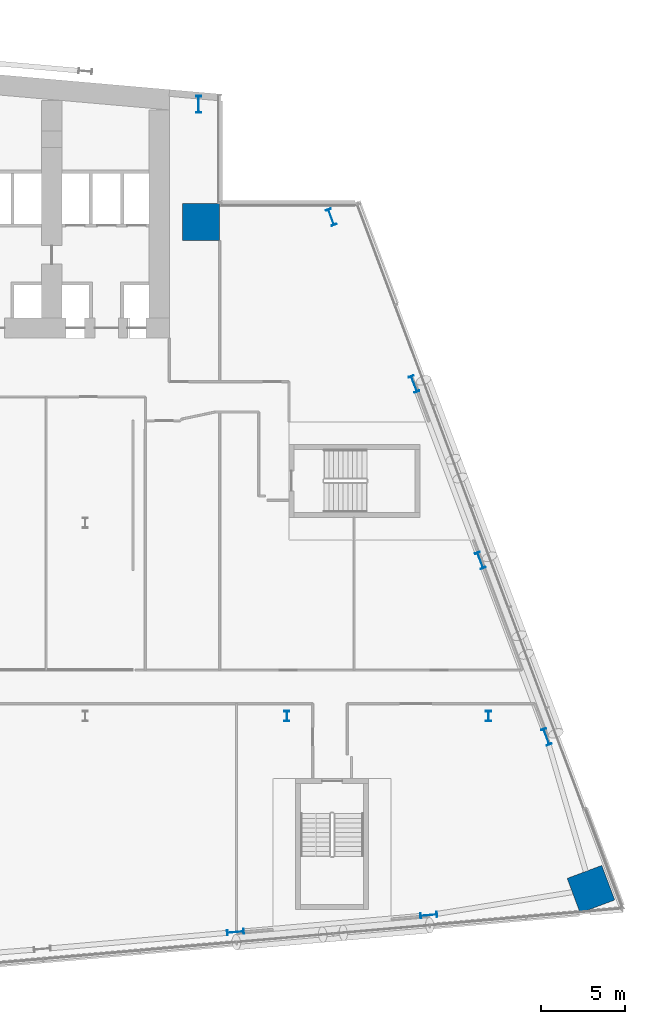
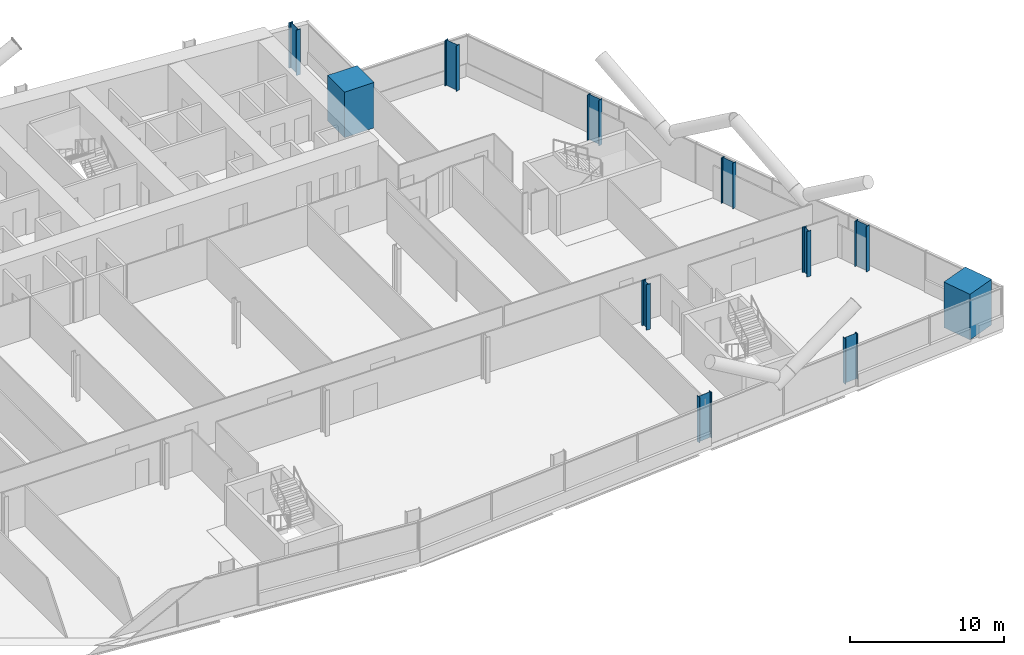
# One storey, part 3 of 27: 11 columns.
"""IFC4 building model written with IfcOpenShell, lengths in metres."""

from ifc_helpers import new_model, si_unit, direction, frame, origin, origin_2d, place, context, subcontext, project, spatial, rectangle, i_section, extrude, material, material_profile, profile_set, type_object, element, save


model = new_model("IFC4")

# Units and contexts
model_context = context("Model", 3, precision=1e-05, world=origin(), true_north=direction((0.0, 1.0)))
body_context = subcontext(model_context, "Body", "Model", "MODEL_VIEW")
ifc_project = project(units=[si_unit("LENGTHUNIT", "METRE"), si_unit("AREAUNIT", "SQUARE_METRE"), si_unit("VOLUMEUNIT", "CUBIC_METRE"), si_unit("PLANEANGLEUNIT", "RADIAN"), si_unit("MASSUNIT", "GRAM", prefix="KILO")], contexts=[model_context])

# Site, building, storey
site_placement = place(None, origin())
site = spatial("IfcSite", under=ifc_project, at=site_placement, CompositionType="ELEMENT")
building_placement = place(site_placement, origin())
building = spatial("IfcBuilding", under=site, at=building_placement, Name="Wharfspan Tower", CompositionType="ELEMENT")
storey_placement = place(building_placement, frame((0.0, 0.0, 48.699951)))
storey = spatial("IfcBuildingStorey", under=building, at=storey_placement, Name="L08", CompositionType="ELEMENT", Elevation=48.699951)

# Columns
ifc_material_1 = material(Name="Steel S355J2", Category="steel")
ifc_material_profile_1 = material_profile(ifc_material_1, i_section(OverallWidth=0.302002, OverallDepth=1.008057, WebThickness=0.020996, FlangeThickness=0.040039, FilletRadius=0.030029, at=origin_2d()))
ifc_profile_set_1 = profile_set([ifc_material_profile_1], Name="Steel S355J2")
column_type_1 = type_object("IfcColumnType", Name="Column HEM 1000", PredefinedType="COLUMN", material=ifc_profile_set_1)
for number, where, z_axis, x_axis, name in (
    (1, (68.942383, -1.354736, 0.0), (0.0, 0.0, 1.0), (0.087156, -0.996198, 0.0), "Perimeter column PS2.2 L08"),
    (2, (80.442383, -0.348633, 0.0), (0.0, 0.0, 1.0), (0.087156, -0.996198, 0.0), "Perimeter column PS2.3 L08"),
    (3, (87.44458, 10.268311, 0.0), (0.0, 0.0, 1.0), (0.936328, 0.351123, 0.0), "Perimeter column PE.1 L08"),
    (4, (83.50708, 20.768311, 0.0), (0.0, 0.0, 1.0), (0.936328, 0.351123, 0.0), "Perimeter column PE.2 L08"),
    (5, (79.56958, 31.268311, 0.0), (0.0, 0.0, 1.0), (0.936328, 0.351123, 0.0), "Perimeter column PE.3 L08"),
    (6, (74.634277, 41.196289, 0.0), (0.0, 0.0, 1.0), (0.936328, 0.351123, 0.0), "Perimeter column PE.4 L08"),
    (7, (66.747803, 47.915283, 0.0), (0.0, 0.0, 1.0), (1.0, 0.0, 0.0), "Perimeter column PNRE-V.1 L08"),
):
    element("IfcColumn", number, at=place(storey_placement, frame(where, z_axis=z_axis, x_axis=x_axis)), inside=storey, type_object=column_type_1, Name=name, PredefinedType="COLUMN", context=body_context, shape_type="SweptSolid", body=[
        extrude(i_section(OverallWidth=0.302002, OverallDepth=1.008057, WebThickness=0.020996, FlangeThickness=0.040039, FilletRadius=0.030029, at=origin_2d()), origin(), (0.0, 0.0, 1.0), 3.600098),
    ])
ifc_material_profile_2 = material_profile(ifc_material_1, i_section(OverallWidth=0.304932, OverallDepth=0.620117, WebThickness=0.020996, FlangeThickness=0.040039, FilletRadius=0.0271, at=origin_2d()))
ifc_profile_set_2 = profile_set([ifc_material_profile_2], Name="Steel S355J2")
column_type_2 = type_object("IfcColumnType", Name="Column HEM 600", PredefinedType="COLUMN", material=ifc_profile_set_2)
for number, where, z_axis, x_axis, name in (
    (8, (72.0, 11.5, 0.0), (0.0, 0.0, 1.0), (1.0, 0.0, 0.0), "Interior column I.1.6 L08"),
    (9, (84.0, 11.5, 0.0), (0.0, 0.0, 1.0), (1.0, 0.0, 0.0), "Interior column I.1.7 L08"),
):
    element("IfcColumn", number, at=place(storey_placement, frame(where, z_axis=z_axis, x_axis=x_axis)), inside=storey, type_object=column_type_2, Name=name, PredefinedType="COLUMN", context=body_context, shape_type="SweptSolid", body=[
        extrude(i_section(OverallWidth=0.304932, OverallDepth=0.620117, WebThickness=0.020996, FlangeThickness=0.040039, FilletRadius=0.0271, at=origin_2d()), origin(), (0.0, 0.0, 1.0), 3.600098),
    ])
ifc_material_2 = material(Name="Concrete C70/85", Category="concrete")
ifc_material_profile_3 = material_profile(ifc_material_2, rectangle(XDim=2.199951, YDim=2.199951, at=origin_2d()))
ifc_profile_set_3 = profile_set([ifc_material_profile_3], Name="Concrete C70/85")
column_type_3 = type_object("IfcColumnType", Name="Mega column 2200 C70/85", PredefinedType="COLUMN", material=ifc_profile_set_3)
for number, where, z_axis, x_axis, name in (
    (10, (66.899902, 40.899902, 0.0), (0.0, 0.0, 1.0), (1.0, 0.0, 0.0), "Mega column MC3 L08"),
    (11, (90.096436, 1.199707, 0.0), (0.0, 0.0, 1.0), (-0.351123, 0.936328, 0.0), "Mega column MC4 L08"),
):
    element("IfcColumn", number, at=place(storey_placement, frame(where, z_axis=z_axis, x_axis=x_axis)), inside=storey, type_object=column_type_3, Name=name, PredefinedType="COLUMN", context=body_context, shape_type="SweptSolid", body=[
        extrude(rectangle(XDim=2.199951, YDim=2.199951, at=origin_2d()), origin(), (0.0, 0.0, 1.0), 3.600098),
    ])

save(model, "model.ifc")
